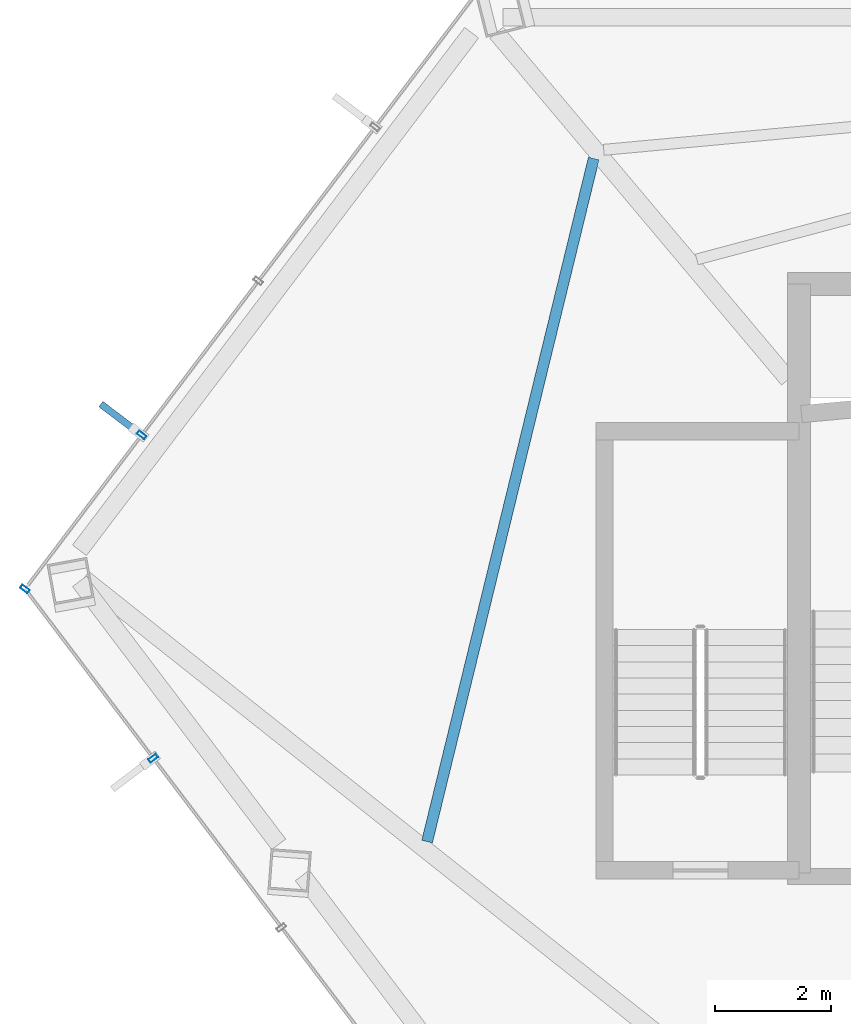
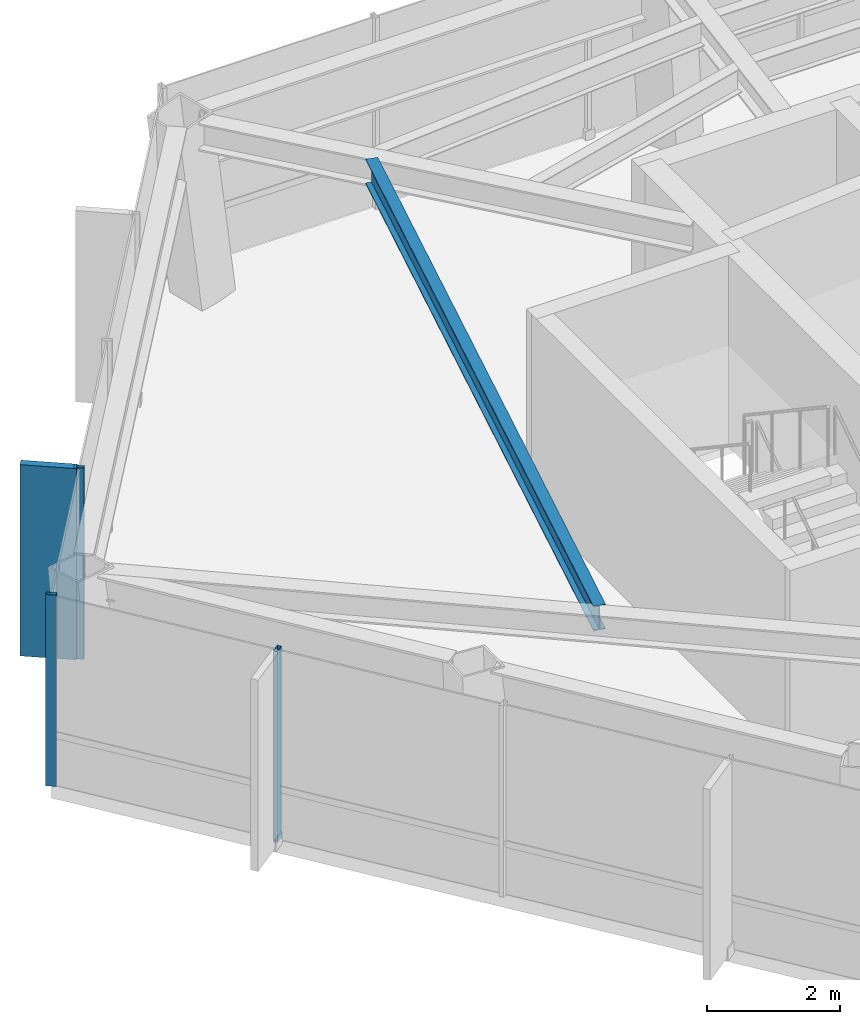
# One storey, part 10 of 27: 4 members, 1 beam, 2 elements without a shape of their own.
"""IFC4 building model written with IfcOpenShell, lengths in metres."""

import ifcopenshell
import ifcopenshell.guid

model = None  # the IFC model being written
_history = None  # IfcOwnerHistory: only IFC2X3 demands one
_inside = {}  # id of a spatial element -> (the spatial element, [elements in it])
_under = {}  # id of a project, library or spatial element -> (it, [spatial elements below it])
_declared = {}  # id of a project -> (the project, [libraries it declares])
_typed = {}  # id of a type object -> (the type object, [elements of that type])
_made_of = {}  # id of a material, layer set ... -> (it, [elements and type objects made of it])


def new_model(schema):
    """Start an empty IFC model of exactly this schema.

    Asked for "IFC4X3", IfcOpenShell would pick the latest addendum, in which some entities
    have other attributes; the version numbers below select the first issue.
    IFC2X3 requires an IfcOwnerHistory on every rooted entity: one is made here for all.
    """
    global model, _history
    if schema == "IFC4X3":
        model = ifcopenshell.file(schema_version=(4, 3, 0, 0))
    else:
        model = ifcopenshell.file(schema=schema)
    _inside.clear()
    _under.clear()
    _declared.clear()
    _typed.clear()
    _made_of.clear()
    _history = None
    if model.schema == "IFC2X3":
        org = make("IfcOrganization", Name="unknown")
        user = make(
            "IfcPersonAndOrganization",
            ThePerson=make("IfcPerson", FamilyName="unknown"),
            TheOrganization=org,
        )
        app = make(
            "IfcApplication",
            ApplicationDeveloper=org,
            Version="unknown",
            ApplicationFullName="unknown",
            ApplicationIdentifier="unknown",
        )
        _history = make(
            "IfcOwnerHistory",
            OwningUser=user,
            OwningApplication=app,
            ChangeAction="ADDED",
            CreationDate=0,
        )
    return model


def make(cls, **values):
    """One entity of the class cls with the attributes given. An attribute that is None is left unset."""
    return model.create_entity(
        cls, **{name: value for name, value in values.items() if value is not None}
    )


def rooted(cls, **values):
    """An entity with a GlobalId (a new one), such as an element, a storey or a relation."""
    return make(cls, GlobalId=ifcopenshell.guid.new(), OwnerHistory=_history, **values)


def si_unit(unit_type, name, prefix=None):
    """IfcSIUnit, for example si_unit("LENGTHUNIT", "METRE", prefix="MILLI")."""
    return make("IfcSIUnit", UnitType=unit_type, Prefix=prefix, Name=name)


def assignment(units):
    """IfcUnitAssignment: the units of a project."""
    return None if units is None else make("IfcUnitAssignment", Units=units)


def point(xyz):
    """IfcCartesianPoint."""
    return None if xyz is None else make("IfcCartesianPoint", Coordinates=xyz)


def direction(xyz):
    """IfcDirection."""
    return None if xyz is None else make("IfcDirection", DirectionRatios=xyz)


def frame(location, z_axis=None, x_axis=None):
    """IfcAxis2Placement3D, a coordinate frame: its origin and axes. An axis left out is left unset."""
    return make(
        "IfcAxis2Placement3D",
        Location=point(location),
        Axis=direction(z_axis),
        RefDirection=direction(x_axis),
    )


def frame_2d(location, x_axis=None):
    """IfcAxis2Placement2D, a coordinate frame in the plane: its origin and x axis."""
    return make(
        "IfcAxis2Placement2D", Location=point(location), RefDirection=direction(x_axis)
    )


def origin():
    """The frame at (0, 0, 0) with its axes left unset."""
    return frame((0.0, 0.0, 0.0))


def origin_2d():
    """The frame at (0, 0) in the plane with its x axis left unset."""
    return frame_2d((0.0, 0.0))


def place(relative_to, where):
    """IfcLocalPlacement: puts the frame where relative to a parent placement (None: the world)."""
    return make(
        "IfcLocalPlacement", PlacementRelTo=relative_to, RelativePlacement=where
    )


def context(
    kind, dimensions, precision=None, world=None, true_north=None, identifier=None
):
    """IfcGeometricRepresentationContext, for example the 3D "Model" context."""
    return make(
        "IfcGeometricRepresentationContext",
        ContextIdentifier=identifier,
        ContextType=kind,
        CoordinateSpaceDimension=dimensions,
        Precision=precision,
        WorldCoordinateSystem=world,
        TrueNorth=true_north,
    )


def subcontext(parent, identifier, kind, view, scale=None):
    """IfcGeometricRepresentationSubContext, for example "Body" below "Model"."""
    return make(
        "IfcGeometricRepresentationSubContext",
        ContextIdentifier=identifier,
        ContextType=kind,
        ParentContext=parent,
        TargetScale=scale,
        TargetView=view,
    )


def project(units=None, contexts=None):
    """IfcProject with its units and contexts."""
    return rooted(
        "IfcProject",
        Name="project",
        RepresentationContexts=contexts,
        UnitsInContext=assignment(units),
    )


def spatial(cls, under=None, at=None, **own):
    """A site, building, storey or space (cls), placed at a placement, below another one or the project."""
    s = rooted(cls, ObjectPlacement=at, **own)
    if under is not None:
        _under.setdefault(under.id(), (under, []))[1].append(s)
    return s


def profile(cls, at=None, kind="AREA", **sizes):
    """A parametric profile (cls). Its sizes go by their IFC names, for example OverallWidth=200.0."""
    return make(cls, ProfileType=kind, Position=at, **sizes)


def rectangle(**sizes):
    """IfcRectangleProfileDef."""
    return profile("IfcRectangleProfileDef", **sizes)


def hollow_rectangle(**sizes):
    """IfcRectangleHollowProfileDef."""
    return profile("IfcRectangleHollowProfileDef", **sizes)


def i_section(**sizes):
    """IfcIShapeProfileDef."""
    return profile("IfcIShapeProfileDef", **sizes)


def extrude(swept, where, along, depth):
    """IfcExtrudedAreaSolid: the profile swept, set in the frame where, extruded along a direction by depth."""
    return make(
        "IfcExtrudedAreaSolid",
        SweptArea=swept,
        Position=where,
        ExtrudedDirection=direction(along),
        Depth=depth,
    )


def shape(context_of_items, identifier, shape_type, items):
    """IfcShapeRepresentation: the items that make up one representation, for example the "Body"."""
    return make(
        "IfcShapeRepresentation",
        ContextOfItems=context_of_items,
        RepresentationIdentifier=identifier,
        RepresentationType=shape_type,
        Items=items,
    )


def material(Name=None, Category=None):
    """IfcMaterial."""
    return make("IfcMaterial", Name=Name, Category=Category)


def layer(
    of_material, thickness, ventilated=None, Name=None, Category=None, Priority=None
):
    """IfcMaterialLayer: one layer of a wall or slab, of a material (None: an air gap)."""
    return make(
        "IfcMaterialLayer",
        Material=of_material,
        LayerThickness=thickness,
        IsVentilated=ventilated,
        Name=Name,
        Category=Category,
        Priority=Priority,
    )


def layer_set(layers, Name=None):
    """IfcMaterialLayerSet."""
    return make("IfcMaterialLayerSet", MaterialLayers=layers, LayerSetName=Name)


def material_profile(
    of_material, cross_section, Name=None, Category=None, Priority=None
):
    """IfcMaterialProfile: a cross section and its material."""
    return make(
        "IfcMaterialProfile",
        Name=Name,
        Material=of_material,
        Profile=cross_section,
        Priority=Priority,
        Category=Category,
    )


def profile_set(profiles, Name=None, composite=None):
    """IfcMaterialProfileSet."""
    return make(
        "IfcMaterialProfileSet",
        Name=Name,
        MaterialProfiles=profiles,
        CompositeProfile=composite,
    )


def made_of(thing, what):
    """Note that an element or type object is made of a material, layer set ...; save() writes the relation."""
    if what is not None:
        _made_of.setdefault(what.id(), (what, []))[1].append(thing)
    return thing


def type_object(cls, material=None, **own):
    """A type object (cls), such as IfcWallType, which elements share."""
    return made_of(rooted(cls, **own), material)


def element(
    cls,
    number,
    at=None,
    inside=None,
    cuts=None,
    type_object=None,
    material=None,
    context=None,
    identifier="Body",
    shape_type=None,
    held_by="IfcProductDefinitionShape",
    body=None,
    shapes=None,
    **own,
):
    """One element of the class cls, such as IfcWall. Its Tag is "e" and its number.

    at: its placement. inside: the storey or other place that contains it. cuts: it is an
    opening in that element (IfcRelVoidsElement). A single representation is given by context,
    identifier, shape_type and body (its items); several are given by shapes. held_by: the class
    of the entity that holds the representations. save() writes the other relations.
    """
    e = rooted(cls, Tag="e%d" % number, ObjectPlacement=at, **own)
    if body is not None:
        shapes = [shape(context, identifier, shape_type, body)]
    if shapes is not None:
        e.Representation = make(held_by, Representations=shapes)
    if inside is not None:
        _inside.setdefault(inside.id(), (inside, []))[1].append(e)
    if cuts is not None:
        rooted(
            "IfcRelVoidsElement", RelatingBuildingElement=cuts, RelatedOpeningElement=e
        )
    if type_object is not None:
        _typed.setdefault(type_object.id(), (type_object, []))[1].append(e)
    return made_of(e, material)


def aggregate(whole, parts):
    """IfcRelAggregates: a whole, such as a stair, and the parts it consists of."""
    return rooted("IfcRelAggregates", RelatingObject=whole, RelatedObjects=parts)


def save(model, path):
    """Write the relations noted so far, then the file.

    IfcRelAggregates (storeys below a building ...), IfcRelContainedInSpatialStructure (elements
    in a storey), IfcRelDefinesByType, IfcRelAssociatesMaterial and IfcRelDeclares: one each for
    every whole, place, type object, material and project.
    """
    for whole, parts in _under.values():
        aggregate(whole, parts)
    for where, things in _inside.values():
        rooted(
            "IfcRelContainedInSpatialStructure",
            RelatedElements=things,
            RelatingStructure=where,
        )
    for kind, things in _typed.values():
        rooted("IfcRelDefinesByType", RelatedObjects=things, RelatingType=kind)
    for what, things in _made_of.values():
        rooted("IfcRelAssociatesMaterial", RelatedObjects=things, RelatingMaterial=what)
    for by, libraries in _declared.values():
        rooted("IfcRelDeclares", RelatingContext=by, RelatedDefinitions=libraries)
    model.write(path)


model = new_model("IFC4")

# Units and contexts
model_context = context("Model", 3, precision=1e-05, world=origin(), true_north=direction((0.0, 1.0)))
body_context = subcontext(model_context, "Body", "Model", "MODEL_VIEW")
ifc_project = project(units=[si_unit("LENGTHUNIT", "METRE"), si_unit("AREAUNIT", "SQUARE_METRE"), si_unit("VOLUMEUNIT", "CUBIC_METRE"), si_unit("PLANEANGLEUNIT", "RADIAN"), si_unit("MASSUNIT", "GRAM", prefix="KILO")], contexts=[model_context])

# Site, building, storey
site_placement = place(None, origin())
site = spatial("IfcSite", under=ifc_project, at=site_placement, CompositionType="ELEMENT")
building_placement = place(site_placement, origin())
building = spatial("IfcBuilding", under=site, at=building_placement, Name="Zarrinselat Tower", CompositionType="ELEMENT")
storey_placement = place(building_placement, frame((0.0, 0.0, 172.0400390625)))
storey = spatial("IfcBuildingStorey", under=building, at=storey_placement, Name="L42", CompositionType="ELEMENT", Elevation=172.0400390625)

# Beam
ifc_material_1 = material(Name="Steel S355J2", Category="steel")
ifc_material_profile_1 = material_profile(ifc_material_1, i_section(OverallWidth=0.18994140625, OverallDepth=0.449951171875, WebThickness=0.009521484375, FlangeThickness=0.0146484375, at=origin_2d()), Name="IPE 450")
ifc_profile_set_1 = profile_set([ifc_material_profile_1], Name="Steel S355J2")
beam_type = type_object("IfcBeamType", Name="BM-IPE450", PredefinedType="JOIST", material=ifc_profile_set_1)
beam_placement = place(storey_placement, frame((22.158203125, 33.7978515625, 3.27490234375), z_axis=(0.236982954582, 0.971513808053, 0.0), x_axis=(-0.971513808053, 0.236982954582, 0.0)))
element("IfcBeam", 1, at=beam_placement, inside=storey, type_object=beam_type, Name="L42 Composite Floor Joist 10-1", PredefinedType="JOIST", context=body_context, shape_type="SweptSolid", body=[
    extrude(i_section(OverallWidth=0.18994140625, OverallDepth=0.449951171875, WebThickness=0.009521484375, FlangeThickness=0.0146484375, at=origin_2d()), origin(), (0.0, 0.0, 1.0), 12.175048828125),
])

# Curtain wall, members
ifc_material_2 = material(Name="Extruded Aluminium Alloy EN AW-6063 T6", Category="aluminium")
ifc_layer = layer(ifc_material_2, 0.175048828125)
ifc_layer_set = layer_set([ifc_layer], Name="Extruded Aluminium Alloy EN AW-6063 T6")
curtain_wall_type = type_object("IfcCurtainWallType", Name="CWS-HTL", PredefinedType="NOTDEFINED", material=ifc_layer_set)
curtain_wall_1_placement = place(storey_placement, origin())
curtain_wall_1 = element("IfcCurtainWall", 2, at=curtain_wall_1_placement, inside=storey, type_object=curtain_wall_type, Name="L42 Unitised Curtain Wall CW-L42-E02", PredefinedType="NOTDEFINED")
ifc_material_3 = material(Name="Extruded Aluminium Alloy EN AW-6063 T6", Category="aluminium")
ifc_material_profile_2 = material_profile(ifc_material_3, hollow_rectangle(XDim=0.070068359375, YDim=0.159912109375, WallThickness=0.00390625, at=origin_2d()), Name="RHS 160x70x4")
ifc_profile_set_2 = profile_set([ifc_material_profile_2], Name="Extruded Aluminium Alloy EN AW-6063 T6")
member_type_1 = type_object("IfcMemberType", Name="MEM-CW-MUL2", PredefinedType="MULLION", material=ifc_profile_set_2)
member_1_placement = place(storey_placement, frame((17.214111328125, 40.838134765625, 0.0), z_axis=(0.0, 0.0, 1.0), x_axis=(-0.603854523079, -0.797094545808, 0.0)))
member_1 = element("IfcMember", 3, at=member_1_placement, type_object=member_type_1, Name="CW-L42-E02 Mullion 3", PredefinedType="MULLION", context=body_context, shape_type="SweptSolid", body=[
    extrude(hollow_rectangle(XDim=0.070068359375, YDim=0.159912109375, WallThickness=0.00390625, at=origin_2d()), origin(), (0.0, 0.0, 1.0), 3.5),
])
member_2_placement = place(storey_placement, frame((15.19384765625, 38.171142578125, 0.0), z_axis=(0.0, 0.0, 1.0), x_axis=(-0.603854523079, -0.797094545808, 0.0)))
member_2 = element("IfcMember", 4, at=member_2_placement, type_object=member_type_1, Name="CW-L42-E02 Mullion 4", PredefinedType="MULLION", context=body_context, shape_type="SweptSolid", body=[
    extrude(hollow_rectangle(XDim=0.070068359375, YDim=0.159912109375, WallThickness=0.00390625, at=origin_2d()), origin(), (0.0, 0.0, 1.0), 3.5),
])

# Curtain wall, member
curtain_wall_2_placement = place(storey_placement, origin())
curtain_wall_2 = element("IfcCurtainWall", 5, at=curtain_wall_2_placement, inside=storey, type_object=curtain_wall_type, Name="L42 Unitised Curtain Wall CW-L42-E03", PredefinedType="NOTDEFINED")
member_3_placement = place(storey_placement, frame((17.414306640625, 35.239990234375, 0.0), z_axis=(0.0, 0.0, 1.0), x_axis=(0.603857987184, -0.797091921496, 0.0)))
member_3 = element("IfcMember", 6, at=member_3_placement, type_object=member_type_1, Name="CW-L42-E03 Mullion 1", PredefinedType="MULLION", context=body_context, shape_type="SweptSolid", body=[
    extrude(hollow_rectangle(XDim=0.070068359375, YDim=0.159912109375, WallThickness=0.00390625, at=origin_2d()), origin(), (0.0, 0.0, 1.0), 3.5),
])
aggregate(curtain_wall_2, [member_3])

# Member
ifc_material_4 = material(Name="Honed Cream Travertine Stone", Category="masonry")
ifc_material_profile_3 = material_profile(ifc_material_4, rectangle(XDim=0.1201171875, YDim=0.85009765625, at=origin_2d()), Name="FIN 850x120")
ifc_profile_set_3 = profile_set([ifc_material_profile_3], Name="Honed Cream Travertine Stone")
member_type_2 = type_object("IfcMemberType", Name="MEM-STONE-FIN", PredefinedType="USERDEFINED", material=ifc_profile_set_3)
member_4_placement = place(storey_placement, frame((16.847412109375, 41.115966796875, 0.0), z_axis=(0.0, 0.0, 1.0), x_axis=(0.603854523079, 0.797094545808, 0.0)))
member_4 = element("IfcMember", 7, at=member_4_placement, type_object=member_type_2, Name="L42 Stone Shading Fin CW-L42-E02-03", ObjectType="FIN", PredefinedType="USERDEFINED", context=body_context, shape_type="SweptSolid", body=[
    extrude(rectangle(XDim=0.1201171875, YDim=0.85009765625, at=origin_2d()), origin(), (0.0, 0.0, 1.0), 3.5),
])

aggregate(curtain_wall_1, [member_1, member_4, member_2])

save(model, "model.ifc")
